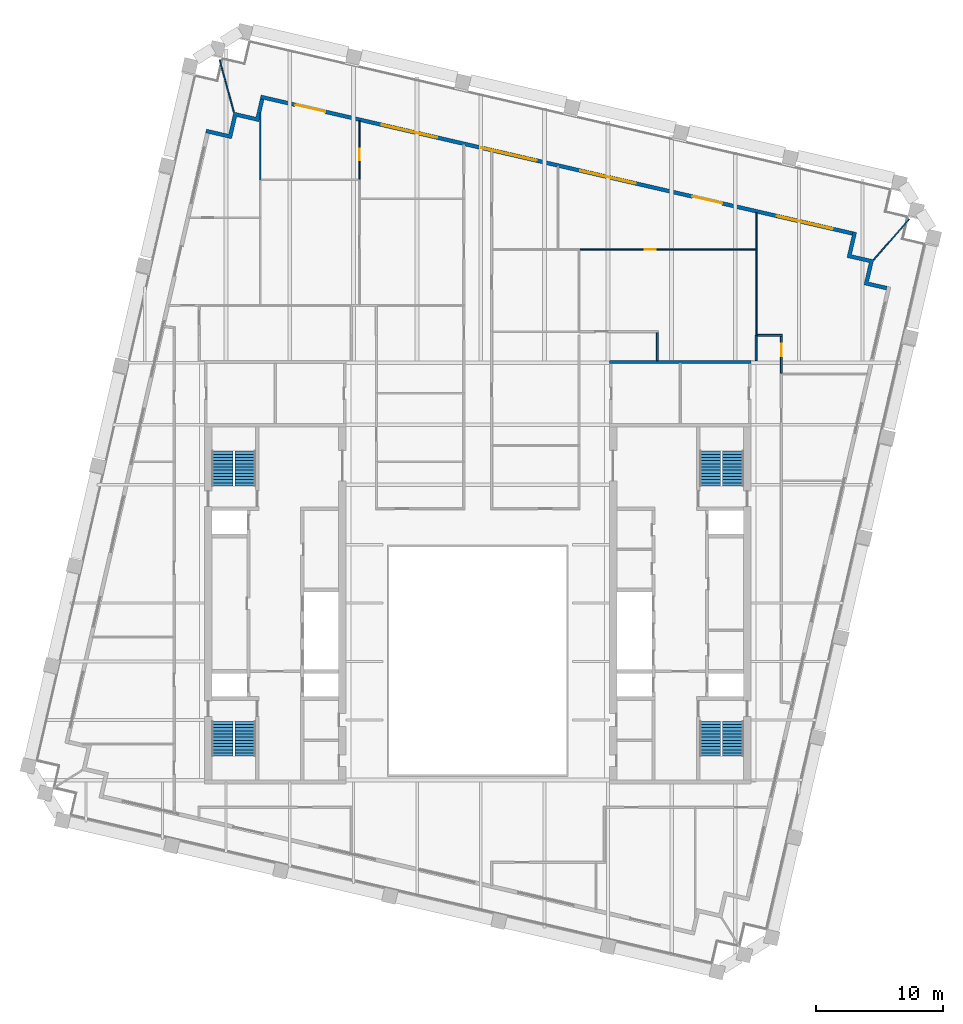
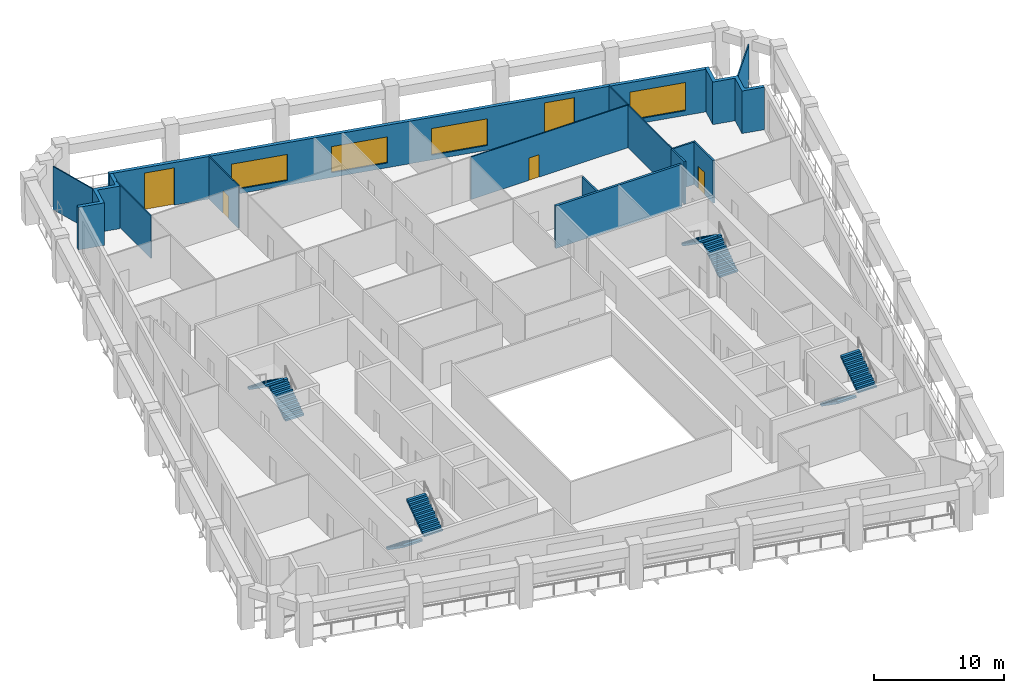
# One storey, part 9 of 11: 15 walls, 8 stair flights, 5 doors, 4 windows, 9 openings, 4 elements without a shape of their own.
"""IFC4 building model written with IfcOpenShell, lengths in metres."""

from ifc_helpers import new_model, si_unit, direction, frame, frame_2d, origin, place, context, subcontext, project, spatial, polyline, rectangle, outline, extrude, material, layer, layer_set, type_object, element, fill, aggregate, save


model = new_model("IFC4")

# Units and contexts
model_context = context("Model", 3, precision=1e-05, world=origin(), true_north=direction((0.0, 1.0)))
body_context = subcontext(model_context, "Body", "Model", "MODEL_VIEW")
ifc_project = project(units=[si_unit("LENGTHUNIT", "METRE"), si_unit("AREAUNIT", "SQUARE_METRE"), si_unit("VOLUMEUNIT", "CUBIC_METRE"), si_unit("PLANEANGLEUNIT", "RADIAN"), si_unit("MASSUNIT", "GRAM", prefix="KILO")], contexts=[model_context])

# Site, building, storey
site_placement = place(None, origin())
site = spatial("IfcSite", under=ifc_project, at=site_placement, CompositionType="ELEMENT")
building_placement = place(site_placement, origin())
building = spatial("IfcBuilding", under=site, at=building_placement, Name="Ogive Exchange Tower", CompositionType="ELEMENT")
storey_placement = place(building_placement, frame((0.0, 0.0, 259.800048828125)))
storey = spatial("IfcBuildingStorey", under=building, at=storey_placement, Name="L56", CompositionType="ELEMENT", Elevation=259.800048828125)

# Walls
ifc_material_1 = material(Name="Fire partition EI 60 150")
ifc_layer_1 = layer(ifc_material_1, 0.14990234375)
ifc_layer_set_1 = layer_set([ifc_layer_1], Name="Fire partition EI 60 150")
wall_type_1 = type_object("IfcWallType", Name="Fire partition EI 60 150", PredefinedType="PARTITIONING", material=ifc_layer_set_1)
wall_1_placement = place(storey_placement, frame((14.18994140625, 32.925048828125, 0.0), z_axis=(0.0, 0.0, 1.0), x_axis=(0.0, -1.0, 0.0)))
element("IfcWall", 1, at=wall_1_placement, inside=storey, type_object=wall_type_1, Name="L56-PWL-064", PredefinedType="PARTITIONING", context=body_context, shape_type="SweptSolid", body=[
    extrude(rectangle(XDim=2.22509765625, YDim=0.14990234375, at=frame_2d((1.112548828125, 0.0))), origin(), (0.0, 0.0, 1.0), 4.0),
])
wall_2_placement = place(storey_placement, frame((22.0, 30.699951171875, 0.0), z_axis=(0.0, 0.0, 1.0), x_axis=(0.0, 1.0, 0.0)))
element("IfcWall", 2, at=wall_2_placement, inside=storey, type_object=wall_type_1, Name="L56-PWL-067", PredefinedType="PARTITIONING", context=body_context, shape_type="SweptSolid", body=[
    extrude(rectangle(XDim=2.0, YDim=0.14990234375, at=frame_2d((1.0, 0.0))), origin(), (0.0, 0.0, 1.0), 4.0),
])
wall_3_placement = place(storey_placement, frame((21.97998046875, 32.699951171875, 0.0), z_axis=(0.0, 0.0, 1.0), x_axis=(1.0, 0.0, 0.0)))
element("IfcWall", 3, at=wall_3_placement, inside=storey, type_object=wall_type_1, Name="L56-PWL-068", PredefinedType="PARTITIONING", context=body_context, shape_type="SweptSolid", body=[
    extrude(rectangle(XDim=2.094970703125, YDim=0.14990234375, at=frame_2d((1.04736328125, 0.0))), origin(), (0.0, 0.0, 1.0), 4.0),
])

# Wall, opening, door
wall_4_placement = place(storey_placement, frame((24.0, 32.625, 0.0), z_axis=(0.0, 0.0, 1.0), x_axis=(0.0, -1.0, 0.0)))
wall_4 = element("IfcWall", 4, at=wall_4_placement, inside=storey, type_object=wall_type_1, Name="L56-PWL-078", PredefinedType="PARTITIONING", context=body_context, shape_type="SweptSolid", body=[
    extrude(rectangle(XDim=2.9150390625, YDim=0.14990234375, at=frame_2d((1.45751953125, 0.0))), origin(), (0.0, 0.0, 1.0), 4.0),
])
opening_1_placement = place(wall_4_placement, frame((0.56494140625, 0.0, 0.0)))
opening_1 = element("IfcOpeningElement", 5, at=opening_1_placement, cuts=wall_4, Name="Opening L56-I24", PredefinedType="OPENING", context=body_context, shape_type="SweptSolid", body=[
    extrude(rectangle(XDim=1.0, YDim=2.10009765625, at=frame_2d((0.5, 1.050048828125))), frame((0.0, 0.0849609375, 0.0), z_axis=(0.0, -1.0, 0.0), x_axis=(1.0, 0.0, 0.0)), (0.0, 0.0, 1.0), 0.169921875),
])
ifc_material_2 = material(Name="Fire door FD 30S 1000 x 2100")
door_type_1 = type_object("IfcDoorType", Name="Fire door FD 30S 1000 x 2100", OperationType="NOTDEFINED", PredefinedType="DOOR", material=ifc_material_2)
door_1_placement = place(opening_1_placement, origin())
door_1 = element("IfcDoor", 6, at=door_1_placement, inside=storey, type_object=door_type_1, Name="L56-IDR-024", ObjectType="DT3", OperationType="SINGLE_SWING_LEFT", OverallHeight=2.10009765625, OverallWidth=1.0, PredefinedType="DOOR", context=body_context, shape_type="SweptSolid", body=[
    extrude(rectangle(XDim=1.0, YDim=2.10009765625, at=frame_2d((0.5, 1.050048828125))), frame((0.0, 0.02490234375, 0.0), z_axis=(0.0, -1.0, 0.0), x_axis=(1.0, 0.0, 0.0)), (0.0, 0.0, 1.0), 0.050048828125),
])
fill(opening_1, door_1)

# Wall, openings, doors, windows
ifc_material_3 = material(Name="Precast concrete C40/50", Category="concrete")
ifc_layer_2 = layer(ifc_material_3, 0.300048828125)
ifc_layer_set_2 = layer_set([ifc_layer_2], Name="Limestone-faced wall 300")
wall_type_2 = type_object("IfcWallType", Name="Limestone-faced wall 300", PredefinedType="STANDARD", material=ifc_layer_set_2)
wall_5_placement = place(storey_placement, frame((29.6162109375, 40.75830078125, 0.0), z_axis=(0.0, 0.0, 1.0), x_axis=(-0.974370532314, 0.224949029246, 0.0)))
wall_5 = element("IfcWall", 7, at=wall_5_placement, inside=storey, type_object=wall_type_2, Name="External wall N3", PredefinedType="STANDARD", context=body_context, shape_type="SweptSolid", body=[
    extrude(rectangle(XDim=48.000244140625, YDim=0.300048828125, at=frame_2d((24.0, 0.0))), origin(), (0.0, 0.0, 1.0), 4.0),
])
opening_2_placement = place(wall_5_placement, frame((1.625, 0.0, 0.449951171875)))
opening_2 = element("IfcOpeningElement", 8, at=opening_2_placement, cuts=wall_5, Name="Opening W1K", PredefinedType="OPENING", context=body_context, shape_type="SweptSolid", body=[
    extrude(rectangle(XDim=4.5, YDim=2.64990234375, at=frame_2d((2.25, 1.324951171875))), frame((0.0, 0.159912109375, 0.0), z_axis=(0.0, -1.0, 0.0), x_axis=(1.0, 0.0, 0.0)), (0.0, 0.0, 1.0), 0.320068359375),
])
opening_3_placement = place(wall_5_placement, frame((10.574951171875, 0.0, 0.0)))
opening_3 = element("IfcOpeningElement", 9, at=opening_3_placement, cuts=wall_5, Name="Opening D1", PredefinedType="OPENING", context=body_context, shape_type="SweptSolid", body=[
    extrude(rectangle(XDim=2.39990234375, YDim=3.5, at=frame_2d((1.199951171875, 1.75))), frame((0.0, 0.159912109375, 0.0), z_axis=(0.0, -1.0, 0.0), x_axis=(1.0, 0.0, 0.0)), (0.0, 0.0, 1.0), 0.320068359375),
])
opening_4_placement = place(wall_5_placement, frame((17.574951171875, 0.0, 0.449951171875)))
opening_4 = element("IfcOpeningElement", 10, at=opening_4_placement, cuts=wall_5, Name="Opening W1O", PredefinedType="OPENING", context=body_context, shape_type="SweptSolid", body=[
    extrude(rectangle(XDim=4.5, YDim=2.5, at=frame_2d((2.25, 1.25))), frame((0.0, 0.159912109375, 0.0), z_axis=(0.0, -1.0, 0.0), x_axis=(1.0, 0.0, 0.0)), (0.0, 0.0, 1.0), 0.320068359375),
])
opening_5_placement = place(wall_5_placement, frame((25.625, 0.0, 0.449951171875)))
opening_5 = element("IfcOpeningElement", 11, at=opening_5_placement, cuts=wall_5, Name="Opening W1Q", PredefinedType="OPENING", context=body_context, shape_type="SweptSolid", body=[
    extrude(rectangle(XDim=4.5, YDim=2.449951171875, at=frame_2d((2.25, 1.22509765625))), frame((0.0, 0.159912109375, 0.0), z_axis=(0.0, -1.0, 0.0), x_axis=(1.0, 0.0, 0.0)), (0.0, 0.0, 1.0), 0.320068359375),
])
opening_6_placement = place(wall_5_placement, frame((33.675048828125, 0.0, 0.449951171875)))
opening_6 = element("IfcOpeningElement", 12, at=opening_6_placement, cuts=wall_5, Name="Opening W1Q", PredefinedType="OPENING", context=body_context, shape_type="SweptSolid", body=[
    extrude(rectangle(XDim=4.5, YDim=2.449951171875, at=frame_2d((2.25, 1.22509765625))), frame((0.0, 0.159912109375, 0.0), z_axis=(0.0, -1.0, 0.0), x_axis=(1.0, 0.0, 0.0)), (0.0, 0.0, 1.0), 0.320068359375),
])
opening_7_placement = place(wall_5_placement, frame((42.77490234375, 0.0, 0.0)))
opening_7 = element("IfcOpeningElement", 13, at=opening_7_placement, cuts=wall_5, Name="Opening D1", PredefinedType="OPENING", context=body_context, shape_type="SweptSolid", body=[
    extrude(rectangle(XDim=2.39990234375, YDim=3.5, at=frame_2d((1.199951171875, 1.75))), frame((0.0, 0.159912109375, 0.0), z_axis=(0.0, -1.0, 0.0), x_axis=(1.0, 0.0, 0.0)), (0.0, 0.0, 1.0), 0.320068359375),
])
ifc_material_4 = material(Name="Clear glass in bronze frame", Category="glass")
door_type_2 = type_object("IfcDoorType", Name="Sliding loggia door 2400 x 3500", OperationType="DOUBLE_DOOR_SLIDING", PredefinedType="DOOR", material=ifc_material_4)
door_2_placement = place(opening_3_placement, origin())
door_2 = element("IfcDoor", 14, at=door_2_placement, inside=storey, type_object=door_type_2, Name="Loggia door N01", OperationType="DOUBLE_DOOR_SLIDING", OverallHeight=3.5, OverallWidth=2.39990234375, PredefinedType="DOOR", context=body_context, shape_type="SweptSolid", body=[
    extrude(rectangle(XDim=2.39990234375, YDim=3.5, at=frame_2d((1.199951171875, 1.75))), frame((0.0, 0.02490234375, 0.0), z_axis=(0.0, -1.0, 0.0), x_axis=(1.0, 0.0, 0.0)), (0.0, 0.0, 1.0), 0.050048828125),
])
fill(opening_3, door_2)
door_3_placement = place(opening_7_placement, origin())
door_3 = element("IfcDoor", 15, at=door_3_placement, inside=storey, type_object=door_type_2, Name="Loggia door N05", OperationType="DOUBLE_DOOR_SLIDING", OverallHeight=3.5, OverallWidth=2.39990234375, PredefinedType="DOOR", context=body_context, shape_type="SweptSolid", body=[
    extrude(rectangle(XDim=2.39990234375, YDim=3.5, at=frame_2d((1.199951171875, 1.75))), frame((0.0, 0.02490234375, 0.0), z_axis=(0.0, -1.0, 0.0), x_axis=(1.0, 0.0, 0.0)), (0.0, 0.0, 1.0), 0.050048828125),
])
fill(opening_7, door_3)
window_type_1 = type_object("IfcWindowType", Name="Twin lancet window 4500 x 2450", PartitioningType="DOUBLE_PANEL_VERTICAL", PredefinedType="WINDOW", material=ifc_material_4)
window_1_placement = place(opening_5_placement, origin())
window_1 = element("IfcWindow", 16, at=window_1_placement, inside=storey, type_object=window_type_1, Name="Window N03", OverallHeight=2.449951171875, OverallWidth=4.5, PartitioningType="DOUBLE_PANEL_VERTICAL", PredefinedType="WINDOW", context=body_context, shape_type="SweptSolid", body=[
    extrude(rectangle(XDim=4.5, YDim=2.449951171875, at=frame_2d((2.25, 1.22509765625))), frame((0.0, 0.030029296875, 0.0), z_axis=(0.0, -1.0, 0.0), x_axis=(1.0, 0.0, 0.0)), (0.0, 0.0, 1.0), 0.06005859375),
])
fill(opening_5, window_1)
window_2_placement = place(opening_6_placement, origin())
window_2 = element("IfcWindow", 17, at=window_2_placement, inside=storey, type_object=window_type_1, Name="Window N04", OverallHeight=2.449951171875, OverallWidth=4.5, PartitioningType="DOUBLE_PANEL_VERTICAL", PredefinedType="WINDOW", context=body_context, shape_type="SweptSolid", body=[
    extrude(rectangle(XDim=4.5, YDim=2.449951171875, at=frame_2d((2.25, 1.22509765625))), frame((0.0, 0.030029296875, 0.0), z_axis=(0.0, -1.0, 0.0), x_axis=(1.0, 0.0, 0.0)), (0.0, 0.0, 1.0), 0.06005859375),
])
fill(opening_6, window_2)
window_type_2 = type_object("IfcWindowType", Name="Twin lancet window 4500 x 2500", PartitioningType="DOUBLE_PANEL_VERTICAL", PredefinedType="WINDOW", material=ifc_material_4)
window_3_placement = place(opening_4_placement, origin())
window_3 = element("IfcWindow", 18, at=window_3_placement, inside=storey, type_object=window_type_2, Name="Window N02", OverallHeight=2.5, OverallWidth=4.5, PartitioningType="DOUBLE_PANEL_VERTICAL", PredefinedType="WINDOW", context=body_context, shape_type="SweptSolid", body=[
    extrude(rectangle(XDim=4.5, YDim=2.5, at=frame_2d((2.25, 1.25))), frame((0.0, 0.030029296875, 0.0), z_axis=(0.0, -1.0, 0.0), x_axis=(1.0, 0.0, 0.0)), (0.0, 0.0, 1.0), 0.06005859375),
])
fill(opening_4, window_3)
window_type_3 = type_object("IfcWindowType", Name="Twin lancet window 4500 x 2650", PartitioningType="DOUBLE_PANEL_VERTICAL", PredefinedType="WINDOW", material=ifc_material_4)
window_4_placement = place(opening_2_placement, origin())
window_4 = element("IfcWindow", 19, at=window_4_placement, inside=storey, type_object=window_type_3, Name="Window N00", OverallHeight=2.64990234375, OverallWidth=4.5, PartitioningType="DOUBLE_PANEL_VERTICAL", PredefinedType="WINDOW", context=body_context, shape_type="SweptSolid", body=[
    extrude(rectangle(XDim=4.5, YDim=2.64990234375, at=frame_2d((2.25, 1.324951171875))), frame((0.0, 0.030029296875, 0.0), z_axis=(0.0, -1.0, 0.0), x_axis=(1.0, 0.0, 0.0)), (0.0, 0.0, 1.0), 0.06005859375),
])
fill(opening_2, window_4)

# Walls
wall_6_placement = place(storey_placement, origin())
element("IfcWall", 20, at=wall_6_placement, inside=storey, type_object=wall_type_2, Name="External corner wall C2", PredefinedType="STANDARD", context=body_context, shape_type="SweptSolid", body=[
    extrude(outline(polyline([(30.931396484375, 38.453369140625), (29.177490234375, 38.8583984375), (29.64990234375, 40.904541015625), (29.942138671875, 40.8369140625), (29.537109375, 39.0830078125), (31.291015625, 38.67822265625), (30.88623046875, 36.92431640625), (32.34765625, 36.5869140625), (32.2802734375, 36.294677734375), (30.5263671875, 36.699462890625), (30.931396484375, 38.453369140625)])), origin(), (0.0, 0.0, 1.0), 4.0),
])
wall_7_placement = place(storey_placement, origin())
element("IfcWall", 21, at=wall_7_placement, inside=storey, type_object=wall_type_2, Name="External corner wall C3", PredefinedType="STANDARD", context=body_context, shape_type="SweptSolid", body=[
    extrude(outline(polyline([(-21.5048828125, 48.7119140625), (-21.4375, 49.004150390625), (-19.68359375, 48.599365234375), (-19.27880859375, 50.353271484375), (-17.52490234375, 49.9482421875), (-17.1875, 51.409912109375), (-16.89501953125, 51.34228515625), (-17.300048828125, 49.58837890625), (-19.053955078125, 49.993408203125), (-19.458740234375, 48.239501953125), (-21.5048828125, 48.7119140625)])), origin(), (0.0, 0.0, 1.0), 4.0),
])
ifc_material_5 = material(Name="Laminated safety glass in steel frame", Category="steel")
ifc_layer_3 = layer(ifc_material_5, 0.10009765625)
ifc_layer_set_3 = layer_set([ifc_layer_3], Name="Loggia end screen 100")
wall_type_3 = type_object("IfcWallType", Name="Loggia end screen 100", PredefinedType="STANDARD", material=ifc_layer_set_3)
wall_8_placement = place(storey_placement, frame((31.291015625, 38.67822265625, -0.050048828125), z_axis=(0.0, 0.0, 1.0), x_axis=(0.658944865364, 0.752191241913, 0.0)))
element("IfcWall", 22, at=wall_8_placement, inside=storey, type_object=wall_type_3, Name="Loggia end screen C2", PredefinedType="STANDARD", context=body_context, shape_type="SweptSolid", body=[
    extrude(rectangle(XDim=4.278076171875, YDim=0.10009765625, at=frame_2d((2.13916015625, 0.0))), origin(), (0.0, 0.0, 1.0), 4.050048828125),
])
wall_9_placement = place(storey_placement, frame((-19.27880859375, 50.353271484375, -0.050048828125), z_axis=(0.0, 0.0, 1.0), x_axis=(-0.262465429481, 0.964941396318, 0.0)))
element("IfcWall", 23, at=wall_9_placement, inside=storey, type_object=wall_type_3, Name="Loggia end screen C3", PredefinedType="STANDARD", context=body_context, shape_type="SweptSolid", body=[
    extrude(rectangle(XDim=4.27783203125, YDim=0.10009765625, at=frame_2d((2.138916015625, 0.0))), origin(), (0.0, 0.0, 1.0), 4.050048828125),
])
ifc_material_6 = material(Name="Partition 100 gypsum")
ifc_layer_4 = layer(ifc_material_6, 0.10009765625)
ifc_layer_set_4 = layer_set([ifc_layer_4], Name="Partition 100 gypsum")
wall_type_4 = type_object("IfcWallType", Name="Partition 100 gypsum", PredefinedType="PARTITIONING", material=ifc_layer_set_4)
wall_10_placement = place(storey_placement, frame((-17.18994140625, 44.949951171875, 0.0), z_axis=(0.0, 0.0, 1.0), x_axis=(0.0, 1.0, 0.0)))
element("IfcWall", 24, at=wall_10_placement, inside=storey, type_object=wall_type_4, Name="L56-PWL-020", PredefinedType="PARTITIONING", context=body_context, shape_type="SweptSolid", body=[
    extrude(rectangle(XDim=5.360107421875, YDim=0.10009765625, at=frame_2d((2.68017578125, 0.0))), origin(), (0.0, 0.0, 1.0), 4.0),
])

# Wall, opening, door
wall_11_placement = place(storey_placement, frame((-9.340087890625, 45.050048828125, 0.0), z_axis=(0.0, 0.0, 1.0), x_axis=(0.0, 1.0, 0.0)))
wall_11 = element("IfcWall", 25, at=wall_11_placement, inside=storey, type_object=wall_type_4, Name="L56-PWL-031", PredefinedType="PARTITIONING", context=body_context, shape_type="SweptSolid", body=[
    extrude(rectangle(XDim=4.630859375, YDim=0.10009765625, at=frame_2d((2.3154296875, 0.0))), origin(), (0.0, 0.0, 1.0), 4.0),
])
opening_8_placement = place(wall_11_placement, frame((1.5, 0.0, 0.0)))
opening_8 = element("IfcOpeningElement", 26, at=opening_8_placement, cuts=wall_11, Name="Opening L56-I10", PredefinedType="OPENING", context=body_context, shape_type="SweptSolid", body=[
    extrude(rectangle(XDim=0.89990234375, YDim=2.10009765625, at=frame_2d((0.449951171875, 1.050048828125))), frame((0.0, 0.06005859375, 0.0), z_axis=(0.0, -1.0, 0.0), x_axis=(1.0, 0.0, 0.0)), (0.0, 0.0, 1.0), 0.1201171875),
])
ifc_material_7 = material(Name="Door 900 x 2100")
door_type_3 = type_object("IfcDoorType", Name="Door 900 x 2100", OperationType="NOTDEFINED", PredefinedType="DOOR", material=ifc_material_7)
door_4_placement = place(opening_8_placement, frame((0.89990234375, 0.0, 0.0), z_axis=(0.0, 0.0, 1.0), x_axis=(-1.0, 0.0, 0.0)))
door_4 = element("IfcDoor", 27, at=door_4_placement, inside=storey, type_object=door_type_3, Name="L56-IDR-010", ObjectType="DT1", OperationType="SINGLE_SWING_RIGHT", OverallHeight=2.10009765625, OverallWidth=0.89990234375, PredefinedType="DOOR", context=body_context, shape_type="SweptSolid", body=[
    extrude(rectangle(XDim=0.89990234375, YDim=2.10009765625, at=frame_2d((0.449951171875, 1.050048828125))), frame((0.0, 0.02490234375, 0.0), z_axis=(0.0, -1.0, 0.0), x_axis=(1.0, 0.0, 0.0)), (0.0, 0.0, 1.0), 0.050048828125),
])
fill(opening_8, door_4)

wall_12_placement = place(storey_placement, frame((22.080078125, 39.5, 0.0), z_axis=(0.0, 0.0, 1.0), x_axis=(-1.0, 0.0, 0.0)))
wall_12 = element("IfcWall", 28, at=wall_12_placement, inside=storey, type_object=wall_type_4, Name="L56-PWL-069", PredefinedType="PARTITIONING", context=body_context, shape_type="SweptSolid", body=[
    extrude(rectangle(XDim=14.030029296875, YDim=0.10009765625, at=frame_2d((7.01513671875, 0.0))), origin(), (0.0, 0.0, 1.0), 4.0),
])
opening_9_placement = place(wall_12_placement, frame((8.0, 0.0, 0.0)))
opening_9 = element("IfcOpeningElement", 29, at=opening_9_placement, cuts=wall_12, Name="Opening L56-I16", PredefinedType="OPENING", context=body_context, shape_type="SweptSolid", body=[
    extrude(rectangle(XDim=0.89990234375, YDim=2.10009765625, at=frame_2d((0.449951171875, 1.050048828125))), frame((0.0, 0.06005859375, 0.0), z_axis=(0.0, -1.0, 0.0), x_axis=(1.0, 0.0, 0.0)), (0.0, 0.0, 1.0), 0.1201171875),
])
door_5_placement = place(opening_9_placement, frame((0.89990234375, 0.0, 0.0), z_axis=(0.0, 0.0, 1.0), x_axis=(-1.0, 0.0, 0.0)))
door_5 = element("IfcDoor", 30, at=door_5_placement, inside=storey, type_object=door_type_3, Name="L56-IDR-016", ObjectType="DT1", OperationType="SINGLE_SWING_LEFT", OverallHeight=2.10009765625, OverallWidth=0.89990234375, PredefinedType="DOOR", context=body_context, shape_type="SweptSolid", body=[
    extrude(rectangle(XDim=0.89990234375, YDim=2.10009765625, at=frame_2d((0.449951171875, 1.050048828125))), frame((0.0, 0.02490234375, 0.0), z_axis=(0.0, -1.0, 0.0), x_axis=(1.0, 0.0, 0.0)), (0.0, 0.0, 1.0), 0.050048828125),
])
fill(opening_9, door_5)

# Walls
wall_13_placement = place(storey_placement, frame((22.030029296875, 39.449951171875, 0.0), z_axis=(0.0, 0.0, 1.0), x_axis=(0.0, -1.0, 0.0)))
element("IfcWall", 31, at=wall_13_placement, inside=storey, type_object=wall_type_4, Name="L56-PWL-070", PredefinedType="PARTITIONING", context=body_context, shape_type="SweptSolid", body=[
    extrude(rectangle(XDim=6.675048828125, YDim=0.10009765625, at=frame_2d((3.33740234375, 0.0))), origin(), (0.0, 0.0, 1.0), 4.0),
])
wall_14_placement = place(storey_placement, frame((22.030029296875, 42.43798828125, 0.0), z_axis=(0.0, 0.0, 1.0), x_axis=(0.0, -1.0, 0.0)))
element("IfcWall", 32, at=wall_14_placement, inside=storey, type_object=wall_type_4, Name="L56-PWL-071", PredefinedType="PARTITIONING", context=body_context, shape_type="SweptSolid", body=[
    extrude(rectangle(XDim=2.887939453125, YDim=0.10009765625, at=frame_2d((1.44384765625, 0.0))), origin(), (0.0, 0.0, 1.0), 4.0),
])
ifc_material_8 = material(Name="Concrete C70/85", Category="concrete")
ifc_layer_5 = layer(ifc_material_8, 0.199951171875)
ifc_layer_set_5 = layer_set([ifc_layer_5], Name="RC core wall 200 C70/85")
wall_type_5 = type_object("IfcWallType", Name="RC core wall 200 C70/85", PredefinedType="SHEAR", material=ifc_layer_set_5)
wall_15_placement = place(storey_placement, frame((10.39990234375, 30.60009765625, 0.0), z_axis=(0.0, 0.0, 1.0), x_axis=(1.0, 0.0, 0.0)))
element("IfcWall", 33, at=wall_15_placement, inside=storey, type_object=wall_type_5, Name="E annex N end wall", PredefinedType="SHEAR", context=body_context, shape_type="SweptSolid", body=[
    extrude(rectangle(XDim=11.2001953125, YDim=0.199951171875, at=frame_2d((5.60009765625, 0.0))), origin(), (0.0, 0.0, 1.0), 4.0),
])

# Stair, stair flights
ifc_material_9 = material(Name="Concrete C40/50", Category="concrete")
stair_type = type_object("IfcStairType", Name="Exit stair 1650 wide", PredefinedType="HALF_TURN_STAIR", material=ifc_material_9)
stair_1_placement = place(storey_placement, origin())
stair_1 = element("IfcStair", 34, at=stair_1_placement, inside=storey, type_object=stair_type, Name="L56 exit stair ST1", PredefinedType="HALF_TURN_STAIR")
stair_flight_type = type_object("IfcStairFlightType", Name="Stair flight 1650 wide", PredefinedType="STRAIGHT", material=ifc_material_9)
stair_flight_1_placement = place(storey_placement, frame((-20.175048828125, 2.199951171875, 0.0), z_axis=(0.0, 0.0, 1.0), x_axis=(0.0, -1.0, 0.0)))
stair_flight_1 = element("IfcStairFlight", 35, at=stair_flight_1_placement, type_object=stair_flight_type, Name="ST1 flight 1", NumberOfRisers=12, NumberOfTreads=11, PredefinedType="STRAIGHT", RiserHeight=0.175, TreadLength=0.25, context=body_context, shape_type="SweptSolid", body=[
    extrude(outline(polyline([(0.0, 0.0), (0.0, 0.175048828125), (0.25, 0.175048828125), (0.25, 0.35009765625), (0.5, 0.35009765625), (0.5, 0.52490234375), (0.75, 0.52490234375), (0.75, 0.699951171875), (1.0, 0.699951171875), (1.0, 0.875), (1.25, 0.875), (1.25, 1.050048828125), (1.5, 1.050048828125), (1.5, 1.22509765625), (1.75, 1.22509765625), (1.75, 1.39990234375), (2.0, 1.39990234375), (2.0, 1.574951171875), (2.25, 1.574951171875), (2.25, 1.75), (2.5, 1.75), (2.5, 1.925048828125), (2.75, 1.925048828125), (2.75, 2.10009765625), (2.75, 1.741943359375), (0.261474609375, 0.0), (0.0, 0.0)])), frame((0.0, 0.824951171875, 0.0), z_axis=(0.0, -1.0, 0.0), x_axis=(1.0, 0.0, 0.0)), (0.0, 0.0, 1.0), 1.64990234375),
])
stair_flight_2_placement = place(storey_placement, frame((-18.375, -0.550048828125, 2.099853515625), z_axis=(0.0, 0.0, 1.0), x_axis=(0.0, 1.0, 0.0)))
stair_flight_2 = element("IfcStairFlight", 36, at=stair_flight_2_placement, type_object=stair_flight_type, Name="ST1 flight 2", NumberOfRisers=12, NumberOfTreads=11, PredefinedType="STRAIGHT", RiserHeight=0.175, TreadLength=0.25, context=body_context, shape_type="SweptSolid", body=[
    extrude(outline(polyline([(0.0, 0.0), (0.0, 0.175048828125), (0.25, 0.175048828125), (0.25, 0.35009765625), (0.5, 0.35009765625), (0.5, 0.52490234375), (0.75, 0.52490234375), (0.75, 0.699951171875), (1.0, 0.699951171875), (1.0, 0.875), (1.25, 0.875), (1.25, 1.050048828125), (1.5, 1.050048828125), (1.5, 1.22509765625), (1.75, 1.22509765625), (1.75, 1.39990234375), (2.0, 1.39990234375), (2.0, 1.574951171875), (2.25, 1.574951171875), (2.25, 1.75), (2.5, 1.75), (2.5, 1.925048828125), (2.75, 1.925048828125), (2.75, 2.10009765625), (2.75, 1.741943359375), (0.261474609375, 0.0), (0.0, 0.0)])), frame((0.0, 0.824951171875, 0.0), z_axis=(0.0, -1.0, 0.0), x_axis=(1.0, 0.0, 0.0)), (0.0, 0.0, 1.0), 1.64990234375),
])
aggregate(stair_1, [stair_flight_1, stair_flight_2])

stair_2_placement = place(storey_placement, origin())
stair_2 = element("IfcStair", 37, at=stair_2_placement, inside=storey, type_object=stair_type, Name="L56 exit stair ST2", PredefinedType="HALF_TURN_STAIR")
stair_flight_3_placement = place(storey_placement, frame((-18.375, 20.800048828125, 0.0), z_axis=(0.0, 0.0, 1.0), x_axis=(0.0, 1.0, 0.0)))
stair_flight_3 = element("IfcStairFlight", 38, at=stair_flight_3_placement, type_object=stair_flight_type, Name="ST2 flight 1", NumberOfRisers=12, NumberOfTreads=11, PredefinedType="STRAIGHT", RiserHeight=0.175, TreadLength=0.25, context=body_context, shape_type="SweptSolid", body=[
    extrude(outline(polyline([(0.0, 0.0), (0.0, 0.175048828125), (0.25, 0.175048828125), (0.25, 0.35009765625), (0.5, 0.35009765625), (0.5, 0.52490234375), (0.75, 0.52490234375), (0.75, 0.699951171875), (1.0, 0.699951171875), (1.0, 0.875), (1.25, 0.875), (1.25, 1.050048828125), (1.5, 1.050048828125), (1.5, 1.22509765625), (1.75, 1.22509765625), (1.75, 1.39990234375), (2.0, 1.39990234375), (2.0, 1.574951171875), (2.25, 1.574951171875), (2.25, 1.75), (2.5, 1.75), (2.5, 1.925048828125), (2.75, 1.925048828125), (2.75, 2.10009765625), (2.75, 1.741943359375), (0.261474609375, 0.0), (0.0, 0.0)])), frame((0.0, 0.824951171875, 0.0), z_axis=(0.0, -1.0, 0.0), x_axis=(1.0, 0.0, 0.0)), (0.0, 0.0, 1.0), 1.64990234375),
])
stair_flight_4_placement = place(storey_placement, frame((-20.175048828125, 23.550048828125, 2.099853515625), z_axis=(0.0, 0.0, 1.0), x_axis=(0.0, -1.0, 0.0)))
stair_flight_4 = element("IfcStairFlight", 39, at=stair_flight_4_placement, type_object=stair_flight_type, Name="ST2 flight 2", NumberOfRisers=12, NumberOfTreads=11, PredefinedType="STRAIGHT", RiserHeight=0.175, TreadLength=0.25, context=body_context, shape_type="SweptSolid", body=[
    extrude(outline(polyline([(0.0, 0.0), (0.0, 0.175048828125), (0.25, 0.175048828125), (0.25, 0.35009765625), (0.5, 0.35009765625), (0.5, 0.52490234375), (0.75, 0.52490234375), (0.75, 0.699951171875), (1.0, 0.699951171875), (1.0, 0.875), (1.25, 0.875), (1.25, 1.050048828125), (1.5, 1.050048828125), (1.5, 1.22509765625), (1.75, 1.22509765625), (1.75, 1.39990234375), (2.0, 1.39990234375), (2.0, 1.574951171875), (2.25, 1.574951171875), (2.25, 1.75), (2.5, 1.75), (2.5, 1.925048828125), (2.75, 1.925048828125), (2.75, 2.10009765625), (2.75, 1.741943359375), (0.261474609375, 0.0), (0.0, 0.0)])), frame((0.0, 0.824951171875, 0.0), z_axis=(0.0, -1.0, 0.0), x_axis=(1.0, 0.0, 0.0)), (0.0, 0.0, 1.0), 1.64990234375),
])
aggregate(stair_2, [stair_flight_3, stair_flight_4])

stair_3_placement = place(storey_placement, origin())
stair_3 = element("IfcStair", 40, at=stair_3_placement, inside=storey, type_object=stair_type, Name="L56 exit stair ST3", PredefinedType="HALF_TURN_STAIR")
stair_flight_5_placement = place(storey_placement, frame((18.375, 2.199951171875, 0.0), z_axis=(0.0, 0.0, 1.0), x_axis=(0.0, -1.0, 0.0)))
stair_flight_5 = element("IfcStairFlight", 41, at=stair_flight_5_placement, type_object=stair_flight_type, Name="ST3 flight 1", NumberOfRisers=12, NumberOfTreads=11, PredefinedType="STRAIGHT", RiserHeight=0.175, TreadLength=0.25, context=body_context, shape_type="SweptSolid", body=[
    extrude(outline(polyline([(0.0, 0.0), (0.0, 0.175048828125), (0.25, 0.175048828125), (0.25, 0.35009765625), (0.5, 0.35009765625), (0.5, 0.52490234375), (0.75, 0.52490234375), (0.75, 0.699951171875), (1.0, 0.699951171875), (1.0, 0.875), (1.25, 0.875), (1.25, 1.050048828125), (1.5, 1.050048828125), (1.5, 1.22509765625), (1.75, 1.22509765625), (1.75, 1.39990234375), (2.0, 1.39990234375), (2.0, 1.574951171875), (2.25, 1.574951171875), (2.25, 1.75), (2.5, 1.75), (2.5, 1.925048828125), (2.75, 1.925048828125), (2.75, 2.10009765625), (2.75, 1.741943359375), (0.261474609375, 0.0), (0.0, 0.0)])), frame((0.0, 0.824951171875, 0.0), z_axis=(0.0, -1.0, 0.0), x_axis=(1.0, 0.0, 0.0)), (0.0, 0.0, 1.0), 1.64990234375),
])
stair_flight_6_placement = place(storey_placement, frame((20.175048828125, -0.550048828125, 2.099853515625), z_axis=(0.0, 0.0, 1.0), x_axis=(0.0, 1.0, 0.0)))
stair_flight_6 = element("IfcStairFlight", 42, at=stair_flight_6_placement, type_object=stair_flight_type, Name="ST3 flight 2", NumberOfRisers=12, NumberOfTreads=11, PredefinedType="STRAIGHT", RiserHeight=0.175, TreadLength=0.25, context=body_context, shape_type="SweptSolid", body=[
    extrude(outline(polyline([(0.0, 0.0), (0.0, 0.175048828125), (0.25, 0.175048828125), (0.25, 0.35009765625), (0.5, 0.35009765625), (0.5, 0.52490234375), (0.75, 0.52490234375), (0.75, 0.699951171875), (1.0, 0.699951171875), (1.0, 0.875), (1.25, 0.875), (1.25, 1.050048828125), (1.5, 1.050048828125), (1.5, 1.22509765625), (1.75, 1.22509765625), (1.75, 1.39990234375), (2.0, 1.39990234375), (2.0, 1.574951171875), (2.25, 1.574951171875), (2.25, 1.75), (2.5, 1.75), (2.5, 1.925048828125), (2.75, 1.925048828125), (2.75, 2.10009765625), (2.75, 1.741943359375), (0.261474609375, 0.0), (0.0, 0.0)])), frame((0.0, 0.824951171875, 0.0), z_axis=(0.0, -1.0, 0.0), x_axis=(1.0, 0.0, 0.0)), (0.0, 0.0, 1.0), 1.64990234375),
])
aggregate(stair_3, [stair_flight_5, stair_flight_6])

stair_4_placement = place(storey_placement, origin())
stair_4 = element("IfcStair", 43, at=stair_4_placement, inside=storey, type_object=stair_type, Name="L56 exit stair ST4", PredefinedType="HALF_TURN_STAIR")
stair_flight_7_placement = place(storey_placement, frame((20.175048828125, 20.800048828125, 0.0), z_axis=(0.0, 0.0, 1.0), x_axis=(0.0, 1.0, 0.0)))
stair_flight_7 = element("IfcStairFlight", 44, at=stair_flight_7_placement, type_object=stair_flight_type, Name="ST4 flight 1", NumberOfRisers=12, NumberOfTreads=11, PredefinedType="STRAIGHT", RiserHeight=0.175, TreadLength=0.25, context=body_context, shape_type="SweptSolid", body=[
    extrude(outline(polyline([(0.0, 0.0), (0.0, 0.175048828125), (0.25, 0.175048828125), (0.25, 0.35009765625), (0.5, 0.35009765625), (0.5, 0.52490234375), (0.75, 0.52490234375), (0.75, 0.699951171875), (1.0, 0.699951171875), (1.0, 0.875), (1.25, 0.875), (1.25, 1.050048828125), (1.5, 1.050048828125), (1.5, 1.22509765625), (1.75, 1.22509765625), (1.75, 1.39990234375), (2.0, 1.39990234375), (2.0, 1.574951171875), (2.25, 1.574951171875), (2.25, 1.75), (2.5, 1.75), (2.5, 1.925048828125), (2.75, 1.925048828125), (2.75, 2.10009765625), (2.75, 1.741943359375), (0.261474609375, 0.0), (0.0, 0.0)])), frame((0.0, 0.824951171875, 0.0), z_axis=(0.0, -1.0, 0.0), x_axis=(1.0, 0.0, 0.0)), (0.0, 0.0, 1.0), 1.64990234375),
])
stair_flight_8_placement = place(storey_placement, frame((18.375, 23.550048828125, 2.099853515625), z_axis=(0.0, 0.0, 1.0), x_axis=(0.0, -1.0, 0.0)))
stair_flight_8 = element("IfcStairFlight", 45, at=stair_flight_8_placement, type_object=stair_flight_type, Name="ST4 flight 2", NumberOfRisers=12, NumberOfTreads=11, PredefinedType="STRAIGHT", RiserHeight=0.175, TreadLength=0.25, context=body_context, shape_type="SweptSolid", body=[
    extrude(outline(polyline([(0.0, 0.0), (0.0, 0.175048828125), (0.25, 0.175048828125), (0.25, 0.35009765625), (0.5, 0.35009765625), (0.5, 0.52490234375), (0.75, 0.52490234375), (0.75, 0.699951171875), (1.0, 0.699951171875), (1.0, 0.875), (1.25, 0.875), (1.25, 1.050048828125), (1.5, 1.050048828125), (1.5, 1.22509765625), (1.75, 1.22509765625), (1.75, 1.39990234375), (2.0, 1.39990234375), (2.0, 1.574951171875), (2.25, 1.574951171875), (2.25, 1.75), (2.5, 1.75), (2.5, 1.925048828125), (2.75, 1.925048828125), (2.75, 2.10009765625), (2.75, 1.741943359375), (0.261474609375, 0.0), (0.0, 0.0)])), frame((0.0, 0.824951171875, 0.0), z_axis=(0.0, -1.0, 0.0), x_axis=(1.0, 0.0, 0.0)), (0.0, 0.0, 1.0), 1.64990234375),
])
aggregate(stair_4, [stair_flight_7, stair_flight_8])

save(model, "model.ifc")
